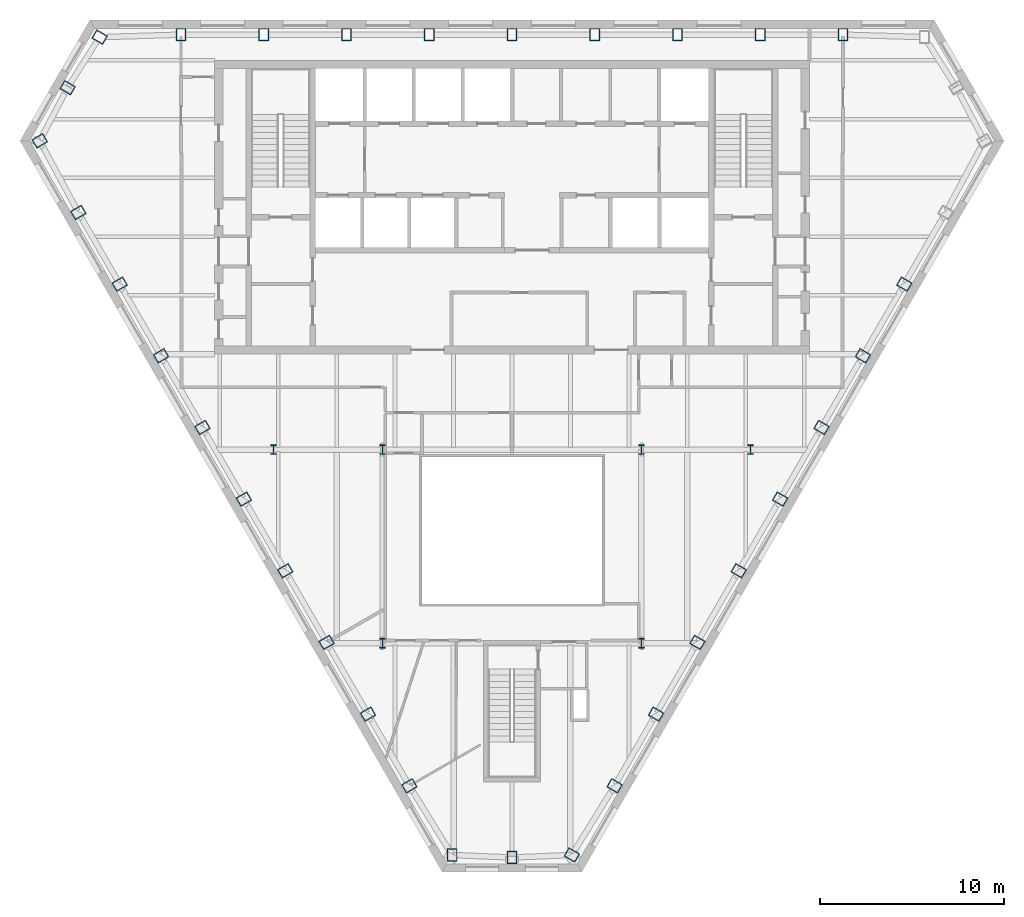
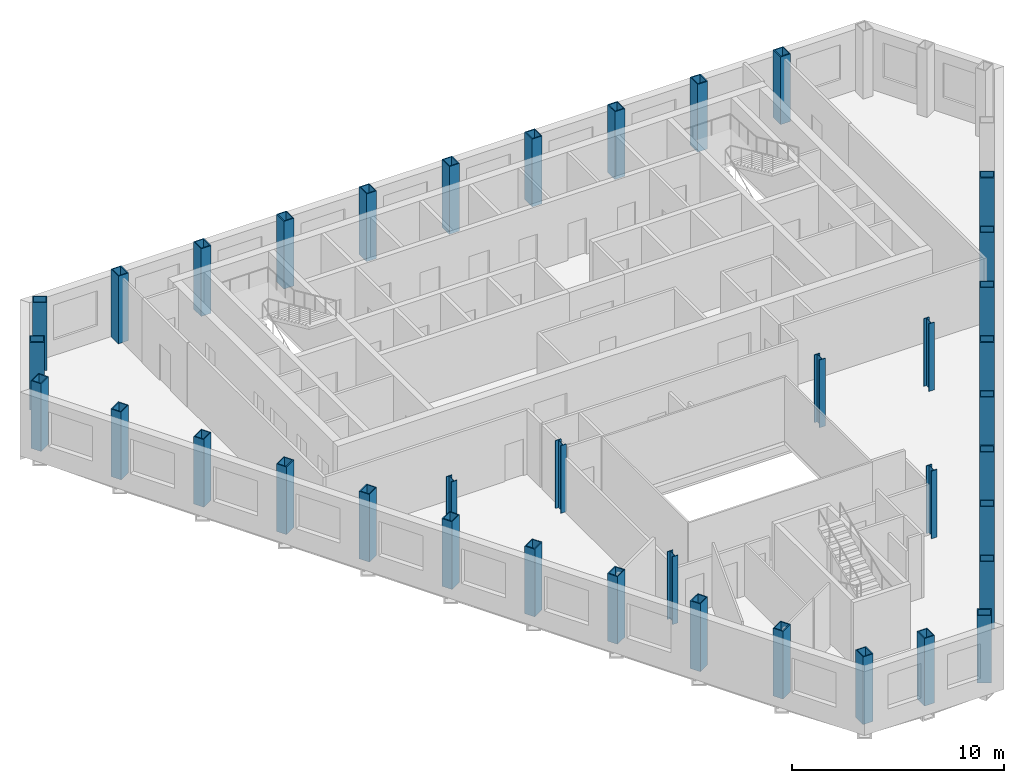
# One storey, part 1 of 10: 38 columns.
"""IFC4 building model written with IfcOpenShell, lengths in metres."""

from ifc_helpers import new_model, si_unit, direction, frame, origin, origin_2d, place, context, subcontext, project, spatial, hollow_rectangle, i_section, extrude, material, material_profile, profile_set, type_object, element, save


model = new_model("IFC4")

# Units and contexts
model_context = context("Model", 3, precision=1e-05, world=origin(), true_north=direction((0.0, 1.0)))
body_context = subcontext(model_context, "Body", "Model", "MODEL_VIEW")
ifc_project = project(units=[si_unit("LENGTHUNIT", "METRE"), si_unit("AREAUNIT", "SQUARE_METRE"), si_unit("VOLUMEUNIT", "CUBIC_METRE"), si_unit("PLANEANGLEUNIT", "RADIAN"), si_unit("MASSUNIT", "GRAM", prefix="KILO")], contexts=[model_context])

# Site, building, storey
site_placement = place(None, origin())
site = spatial("IfcSite", under=ifc_project, at=site_placement, CompositionType="ELEMENT")
building_placement = place(site_placement, origin())
building = spatial("IfcBuilding", under=site, at=building_placement, Name="Njiva Tower", CompositionType="ELEMENT")
storey_placement = place(building_placement, frame((0.0, 0.0, 192.6)))
storey = spatial("IfcBuildingStorey", under=building, at=storey_placement, Name="L42", CompositionType="ELEMENT", Elevation=192.6)

# Columns
ifc_material = material(Name="Steel S355 J2", Category="steel")
ifc_material_profile_1 = material_profile(ifc_material, hollow_rectangle(XDim=0.55, YDim=0.7, WallThickness=0.05, at=origin_2d()), Name="BOX 700x550x50")
ifc_profile_set_1 = profile_set([ifc_material_profile_1], Name="Steel S355 J2")
column_type_1 = type_object("IfcColumnType", Name="C11 Perimeter tube column BOX 700x550x50", PredefinedType="COLUMN", material=ifc_profile_set_1)
for number, where, z_axis, x_axis, name in (
    (1, (18.03, 19.4, 0.0), (0.0, 0.0, 1.0), (-1.0, 0.0, 0.0), "Perimeter tube column S14-C02"),
    (2, (13.523, 19.4, 0.0), (0.0, 0.0, 1.0), (-1.0, 0.0, 0.0), "Perimeter tube column S14-C03"),
    (3, (9.015, 19.4, 0.0), (0.0, 0.0, 1.0), (-1.0, 0.0, 0.0), "Perimeter tube column S14-C04"),
    (4, (4.508, 19.4, 0.0), (0.0, 0.0, 1.0), (-1.0, 0.0, 0.0), "Perimeter tube column S14-C05"),
    (5, (0.0, 19.4, 0.0), (0.0, 0.0, 1.0), (-1.0, 0.0, 0.0), "Perimeter tube column S14-C06"),
    (6, (-4.508, 19.4, 0.0), (0.0, 0.0, 1.0), (-1.0, 0.0, 0.0), "Perimeter tube column S14-C07"),
    (7, (-9.015, 19.4, 0.0), (0.0, 0.0, 1.0), (-1.0, 0.0, 0.0), "Perimeter tube column S14-C08"),
    (8, (-13.523, 19.4, 0.0), (0.0, 0.0, 1.0), (-1.0, 0.0, 0.0), "Perimeter tube column S14-C09"),
    (9, (-18.03, 19.4, 0.0), (0.0, 0.0, 1.0), (-1.0, 0.0, 0.0), "Perimeter tube column S14-C10"),
    (10, (-22.461, 19.267, 0.0), (0.0, 0.0, 1.0), (-0.5, -0.866025403784, 0.0), "Perimeter tube column S14-C11"),
    (11, (-24.207, 16.509, 0.0), (0.0, 0.0, 1.0), (-0.5, -0.866025403784, 0.0), "Perimeter tube column S14-C12"),
    (12, (-25.723, 13.618, 0.0), (0.0, 0.0, 1.0), (0.5, -0.866025403784, 0.0), "Perimeter tube column S14-C13"),
    (13, (-23.622, 9.714, 0.0), (0.0, 0.0, 1.0), (0.5, -0.866025403784, 0.0), "Perimeter tube column S14-C14"),
    (14, (-21.369, 5.811, 0.0), (0.0, 0.0, 1.0), (0.5, -0.866025403784, 0.0), "Perimeter tube column S14-C15"),
    (15, (-19.115, 1.907, 0.0), (0.0, 0.0, 1.0), (0.5, -0.866025403784, 0.0), "Perimeter tube column S14-C16"),
    (16, (-16.861, -1.997, 0.0), (0.0, 0.0, 1.0), (0.5, -0.866025403784, 0.0), "Perimeter tube column S14-C17"),
    (17, (-14.607, -5.9, 0.0), (0.0, 0.0, 1.0), (0.5, -0.866025403784, 0.0), "Perimeter tube column S14-C18"),
    (18, (-12.353, -9.804, 0.0), (0.0, 0.0, 1.0), (0.5, -0.866025403784, 0.0), "Perimeter tube column S14-C19"),
    (19, (-10.1, -13.708, 0.0), (0.0, 0.0, 1.0), (0.5, -0.866025403784, 0.0), "Perimeter tube column S14-C20"),
    (20, (-7.846, -17.612, 0.0), (0.0, 0.0, 1.0), (0.5, -0.866025403784, 0.0), "Perimeter tube column S14-C21"),
    (21, (-5.592, -21.515, 0.0), (0.0, 0.0, 1.0), (0.5, -0.866025403784, 0.0), "Perimeter tube column S14-C22"),
    (22, (-3.261, -25.286, 0.0), (0.0, 0.0, 1.0), (1.0, 0.0, 0.0), "Perimeter tube column S14-C23"),
    (23, (0.0, -25.419, 0.0), (0.0, 0.0, 1.0), (1.0, 0.0, 0.0), "Perimeter tube column S14-C24"),
    (24, (3.261, -25.286, 0.0), (0.0, 0.0, 1.0), (0.5, 0.866025403784, 0.0), "Perimeter tube column S14-C25"),
    (25, (5.592, -21.515, 0.0), (0.0, 0.0, 1.0), (0.5, 0.866025403784, 0.0), "Perimeter tube column S14-C26"),
    (26, (7.846, -17.612, 0.0), (0.0, 0.0, 1.0), (0.5, 0.866025403784, 0.0), "Perimeter tube column S14-C27"),
    (27, (10.1, -13.708, 0.0), (0.0, 0.0, 1.0), (0.5, 0.866025403784, 0.0), "Perimeter tube column S14-C28"),
    (28, (12.353, -9.804, 0.0), (0.0, 0.0, 1.0), (0.5, 0.866025403784, 0.0), "Perimeter tube column S14-C29"),
    (29, (14.607, -5.9, 0.0), (0.0, 0.0, 1.0), (0.5, 0.866025403784, 0.0), "Perimeter tube column S14-C30"),
    (30, (16.861, -1.997, 0.0), (0.0, 0.0, 1.0), (0.5, 0.866025403784, 0.0), "Perimeter tube column S14-C31"),
    (31, (19.115, 1.907, 0.0), (0.0, 0.0, 1.0), (0.5, 0.866025403784, 0.0), "Perimeter tube column S14-C32"),
    (32, (21.369, 5.811, 0.0), (0.0, 0.0, 1.0), (0.5, 0.866025403784, 0.0), "Perimeter tube column S14-C33"),
):
    element("IfcColumn", number, at=place(storey_placement, frame(where, z_axis=z_axis, x_axis=x_axis)), inside=storey, type_object=column_type_1, Name=name, PredefinedType="COLUMN", context=body_context, shape_type="SweptSolid", body=[
        extrude(hollow_rectangle(XDim=0.55, YDim=0.7, WallThickness=0.05, at=origin_2d()), origin(), (0.0, 0.0, 1.0), 3.9),
    ])
ifc_material_profile_2 = material_profile(ifc_material, i_section(OverallWidth=0.306, OverallDepth=0.524, WebThickness=0.021, FlangeThickness=0.04, at=origin_2d()), Name="HEM 500")
ifc_profile_set_2 = profile_set([ifc_material_profile_2], Name="Steel S355 J2")
column_type_2 = type_object("IfcColumnType", Name="C12 Interior column HEM 500", PredefinedType="COLUMN", material=ifc_profile_set_2)
for number, where, z_axis, x_axis, name in (
    (33, (7.05, -3.2, 0.0), (0.0, 0.0, 1.0), (1.0, 0.0, 0.0), "Interior column S14-C37"),
    (34, (-7.05, -3.2, 0.0), (0.0, 0.0, 1.0), (1.0, 0.0, 0.0), "Interior column S14-C38"),
    (35, (7.05, -13.75, 0.0), (0.0, 0.0, 1.0), (1.0, 0.0, 0.0), "Interior column S14-C39"),
    (36, (-7.05, -13.75, 0.0), (0.0, 0.0, 1.0), (1.0, 0.0, 0.0), "Interior column S14-C40"),
    (37, (13.0, -3.2, 0.0), (0.0, 0.0, 1.0), (1.0, 0.0, 0.0), "Interior column S14-C41"),
    (38, (-13.0, -3.2, 0.0), (0.0, 0.0, 1.0), (1.0, 0.0, 0.0), "Interior column S14-C42"),
):
    element("IfcColumn", number, at=place(storey_placement, frame(where, z_axis=z_axis, x_axis=x_axis)), inside=storey, type_object=column_type_2, Name=name, PredefinedType="COLUMN", context=body_context, shape_type="SweptSolid", body=[
        extrude(i_section(OverallWidth=0.306, OverallDepth=0.524, WebThickness=0.021, FlangeThickness=0.04, at=origin_2d()), origin(), (0.0, 0.0, 1.0), 3.9),
    ])

save(model, "model.ifc")
